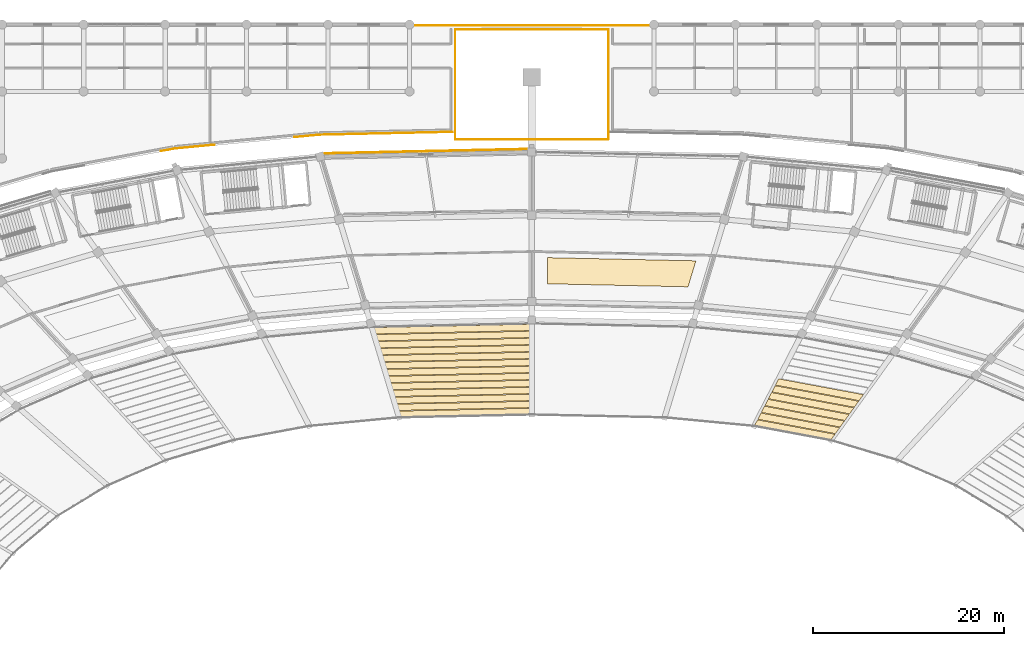
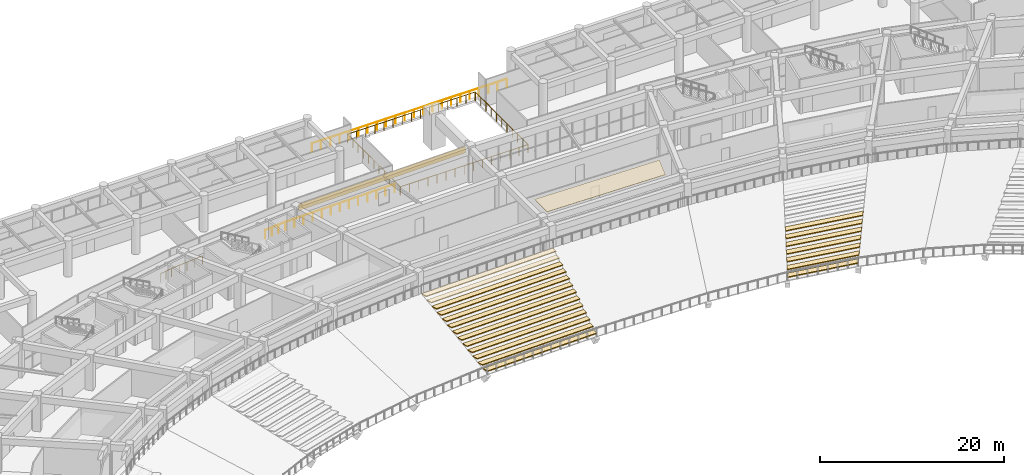
# One storey, part 148 of 152: 22 coverings, 5 railings.
"""IFC4 building model written with IfcOpenShell, lengths in metres."""

from ifc_helpers import new_model, si_unit, direction, frame, origin, origin_2d, place, context, subcontext, project, spatial, polyline, rectangle, circle, outline, extrude, material, layer, layer_set, type_object, element, save


model = new_model("IFC4")

# Units and contexts
model_context = context("Model", 3, precision=1e-05, world=origin(), true_north=direction((0.0, 1.0)))
body_context = subcontext(model_context, "Body", "Model", "MODEL_VIEW")
ifc_project = project(units=[si_unit("LENGTHUNIT", "METRE"), si_unit("AREAUNIT", "SQUARE_METRE"), si_unit("VOLUMEUNIT", "CUBIC_METRE"), si_unit("PLANEANGLEUNIT", "RADIAN"), si_unit("MASSUNIT", "GRAM", prefix="KILO")], contexts=[model_context])

# Site, building, storey
site_placement = place(None, origin())
site = spatial("IfcSite", under=ifc_project, at=site_placement, CompositionType="ELEMENT")
building_placement = place(site_placement, origin())
building = spatial("IfcBuilding", under=site, at=building_placement, Name="Mphavela Belvedere Stadium", CompositionType="ELEMENT")
storey_placement = place(building_placement, frame((0.0, 0.0, 5.39990234375)))
storey = spatial("IfcBuildingStorey", under=building, at=storey_placement, Name="L01", CompositionType="ELEMENT", Elevation=5.39990234375)

# Coverings
ifc_material_1 = material(Name="Perforated acoustic mineral ceiling tile")
ifc_layer_1 = layer(ifc_material_1, 0.0400390625)
ifc_layer_set_1 = layer_set([ifc_layer_1], Name="Perforated acoustic mineral ceiling tile")
covering_type_1 = type_object("IfcCoveringType", Name="COV-CEILING-ACOUSTIC", PredefinedType="CEILING", material=ifc_layer_set_1)
covering_1_placement = place(storey_placement, frame((0.0, 0.0, 3.5)))
element("IfcCovering", 1, at=covering_1_placement, inside=storey, type_object=covering_type_1, Name="Concourse acoustic ceiling L01-12", PredefinedType="CEILING", context=body_context, shape_type="SweptSolid", body=[
    extrude(outline(polyline([(131.334228515625, 146.57958984375), (116.656005859375, 146.8955078125), (116.656005859375, 149.631103515625), (132.155517578125, 149.29736328125), (131.334228515625, 146.57958984375)])), origin(), (0.0, 0.0, 1.0), 0.0400390625),
])
ifc_material_2 = material(Name="Carved classical limestone entablature frieze cladding", Category="masonry")
ifc_layer_2 = layer(ifc_material_2, 0.06005859375)
ifc_layer_set_2 = layer_set([ifc_layer_2], Name="Carved classical limestone entablature frieze cladding")
covering_type_2 = type_object("IfcCoveringType", Name="COV-FRIEZE-CLAD", PredefinedType="CLADDING", material=ifc_layer_set_2)
covering_2_placement = place(storey_placement, frame((103.935791015625, 160.751708984375, 3.594970703125), z_axis=(0.0, 0.0, 1.0), x_axis=(-0.999769581002, -0.02146590093, 0.0)))
element("IfcCovering", 2, at=covering_2_placement, inside=storey, type_object=covering_type_2, Name="Classical entablature frieze cladding L01-13", PredefinedType="CLADDING", context=body_context, shape_type="SweptSolid", body=[
    extrude(rectangle(XDim=21.173583984375, YDim=0.06005859375, at=origin_2d()), origin(), (0.0, 0.0, 1.0), 0.85009765625),
])
ifc_material_3 = material(Name="Precast seating row terrazzo finish", Category="concrete")
ifc_layer_3 = layer(ifc_material_3, 0.1201171875)
ifc_layer_set_3 = layer_set([ifc_layer_3], Name="Precast seating row terrazzo finish")
covering_type_3 = type_object("IfcCoveringType", Name="COV-SEAT-ROW-L", PredefinedType="FLOORING", material=ifc_layer_set_3)
covering_3_placement = place(storey_placement, frame((0.0, 0.0, -3.75830078125)))
element("IfcCovering", 3, at=covering_3_placement, inside=storey, type_object=covering_type_3, Name="Lower stand seating row bench B10-R01", PredefinedType="FLOORING", context=body_context, shape_type="SweptSolid", body=[
    extrude(outline(polyline([(146.2431640625, 130.53662109375), (138.258056640625, 132.02392578125), (138.59716796875, 132.680419921875), (146.69873046875, 131.17138671875), (146.2431640625, 130.53662109375)])), origin(), (0.0, 0.0, 1.0), 0.119873046875),
])
covering_4_placement = place(storey_placement, frame((0.0, 0.0, -3.296875)))
element("IfcCovering", 4, at=covering_4_placement, inside=storey, type_object=covering_type_3, Name="Lower stand seating row bench B10-R02", PredefinedType="FLOORING", context=body_context, shape_type="SweptSolid", body=[
    extrude(outline(polyline([(146.73828125, 131.226806640625), (138.62646484375, 132.7373046875), (138.965576171875, 133.393798828125), (147.19384765625, 131.861328125), (146.73828125, 131.226806640625)])), origin(), (0.0, 0.0, 1.0), 0.1201171875),
])
covering_5_placement = place(storey_placement, frame((0.0, 0.0, -2.835205078125)))
element("IfcCovering", 5, at=covering_5_placement, inside=storey, type_object=covering_type_3, Name="Lower stand seating row bench B10-R03", PredefinedType="FLOORING", context=body_context, shape_type="SweptSolid", body=[
    extrude(outline(polyline([(147.2333984375, 131.91650390625), (138.9951171875, 133.450927734375), (139.334228515625, 134.107421875), (147.68896484375, 132.551513671875), (147.2333984375, 131.91650390625)])), origin(), (0.0, 0.0, 1.0), 0.119873046875),
])
covering_6_placement = place(storey_placement, frame((0.0, 0.0, -2.373779296875)))
element("IfcCovering", 6, at=covering_6_placement, inside=storey, type_object=covering_type_3, Name="Lower stand seating row bench B10-R04", PredefinedType="FLOORING", context=body_context, shape_type="SweptSolid", body=[
    extrude(outline(polyline([(147.728515625, 132.6064453125), (139.36376953125, 134.164306640625), (139.702880859375, 134.82080078125), (148.18408203125, 133.2412109375), (147.728515625, 132.6064453125)])), origin(), (0.0, 0.0, 1.0), 0.1201171875),
])
covering_7_placement = place(storey_placement, frame((0.0, 0.0, -1.912109375)))
element("IfcCovering", 7, at=covering_7_placement, inside=storey, type_object=covering_type_3, Name="Lower stand seating row bench B10-R05", PredefinedType="FLOORING", context=body_context, shape_type="SweptSolid", body=[
    extrude(outline(polyline([(148.2236328125, 133.29638671875), (139.732421875, 134.8779296875), (140.0712890625, 135.534423828125), (148.67919921875, 133.93115234375), (148.2236328125, 133.29638671875)])), origin(), (0.0, 0.0, 1.0), 0.119873046875),
])
covering_8_placement = place(storey_placement, frame((0.0, 0.0, -1.45068359375)))
element("IfcCovering", 8, at=covering_8_placement, inside=storey, type_object=covering_type_3, Name="Lower stand seating row bench B10-R06", PredefinedType="FLOORING", context=body_context, shape_type="SweptSolid", body=[
    extrude(outline(polyline([(148.71875, 133.986328125), (140.100830078125, 135.591552734375), (140.43994140625, 136.247802734375), (149.17431640625, 134.62109375), (148.71875, 133.986328125)])), origin(), (0.0, 0.0, 1.0), 0.119873046875),
])
covering_9_placement = place(storey_placement, frame((0.0, 0.0, -0.989013671875)))
element("IfcCovering", 9, at=covering_9_placement, inside=storey, type_object=covering_type_3, Name="Lower stand seating row bench B10-R07", PredefinedType="FLOORING", context=body_context, shape_type="SweptSolid", body=[
    extrude(outline(polyline([(149.2138671875, 134.676513671875), (140.469482421875, 136.304931640625), (140.80859375, 136.96142578125), (149.66943359375, 135.31103515625), (149.2138671875, 134.676513671875)])), origin(), (0.0, 0.0, 1.0), 0.119873046875),
])
covering_10_placement = place(storey_placement, frame((0.0, 0.0, -3.75830078125)))
element("IfcCovering", 10, at=covering_10_placement, inside=storey, type_object=covering_type_3, Name="Lower stand seating row bench B13-R01", PredefinedType="FLOORING", context=body_context, shape_type="SweptSolid", body=[
    extrude(outline(polyline([(115.0, 133.217529296875), (101.126220703125, 132.918701171875), (100.923828125, 133.588134765625), (115.0, 133.891357421875), (115.0, 133.217529296875)])), origin(), (0.0, 0.0, 1.0), 0.119873046875),
])
covering_11_placement = place(storey_placement, frame((0.0, 0.0, -3.296875)))
element("IfcCovering", 11, at=covering_11_placement, inside=storey, type_object=covering_type_3, Name="Lower stand seating row bench B13-R02", PredefinedType="FLOORING", context=body_context, shape_type="SweptSolid", body=[
    extrude(outline(polyline([(115.0, 133.949951171875), (100.90625, 133.646484375), (100.7041015625, 134.31591796875), (115.0, 134.623779296875), (115.0, 133.949951171875)])), origin(), (0.0, 0.0, 1.0), 0.1201171875),
])
covering_12_placement = place(storey_placement, frame((0.0, 0.0, -2.835205078125)))
element("IfcCovering", 12, at=covering_12_placement, inside=storey, type_object=covering_type_3, Name="Lower stand seating row bench B13-R03", PredefinedType="FLOORING", context=body_context, shape_type="SweptSolid", body=[
    extrude(outline(polyline([(115.0, 134.682373046875), (100.6865234375, 134.374267578125), (100.484130859375, 135.043701171875), (115.0, 135.356201171875), (115.0, 134.682373046875)])), origin(), (0.0, 0.0, 1.0), 0.119873046875),
])
covering_13_placement = place(storey_placement, frame((0.0, 0.0, -2.373779296875)))
element("IfcCovering", 13, at=covering_13_placement, inside=storey, type_object=covering_type_3, Name="Lower stand seating row bench B13-R04", PredefinedType="FLOORING", context=body_context, shape_type="SweptSolid", body=[
    extrude(outline(polyline([(115.0, 135.414794921875), (100.466552734375, 135.101806640625), (100.264404296875, 135.771240234375), (115.0, 136.088623046875), (115.0, 135.414794921875)])), origin(), (0.0, 0.0, 1.0), 0.1201171875),
])
covering_14_placement = place(storey_placement, frame((0.0, 0.0, -1.912109375)))
element("IfcCovering", 14, at=covering_14_placement, inside=storey, type_object=covering_type_3, Name="Lower stand seating row bench B13-R05", PredefinedType="FLOORING", context=body_context, shape_type="SweptSolid", body=[
    extrude(outline(polyline([(115.0, 136.147216796875), (100.246826171875, 135.82958984375), (100.04443359375, 136.4990234375), (115.0, 136.821044921875), (115.0, 136.147216796875)])), origin(), (0.0, 0.0, 1.0), 0.119873046875),
])
covering_15_placement = place(storey_placement, frame((0.0, 0.0, -1.45068359375)))
element("IfcCovering", 15, at=covering_15_placement, inside=storey, type_object=covering_type_3, Name="Lower stand seating row bench B13-R06", PredefinedType="FLOORING", context=body_context, shape_type="SweptSolid", body=[
    extrude(outline(polyline([(115.0, 136.879638671875), (100.02685546875, 136.55712890625), (99.82470703125, 137.226806640625), (115.0, 137.553466796875), (115.0, 136.879638671875)])), origin(), (0.0, 0.0, 1.0), 0.119873046875),
])
covering_16_placement = place(storey_placement, frame((0.0, 0.0, -0.989013671875)))
element("IfcCovering", 16, at=covering_16_placement, inside=storey, type_object=covering_type_3, Name="Lower stand seating row bench B13-R07", PredefinedType="FLOORING", context=body_context, shape_type="SweptSolid", body=[
    extrude(outline(polyline([(115.0, 137.612060546875), (99.806884765625, 137.284912109375), (99.604736328125, 137.954345703125), (115.0, 138.285888671875), (115.0, 137.612060546875)])), origin(), (0.0, 0.0, 1.0), 0.119873046875),
])
covering_17_placement = place(storey_placement, frame((0.0, 0.0, -0.527587890625)))
element("IfcCovering", 17, at=covering_17_placement, inside=storey, type_object=covering_type_3, Name="Lower stand seating row bench B13-R08", PredefinedType="FLOORING", context=body_context, shape_type="SweptSolid", body=[
    extrude(outline(polyline([(115.0, 138.344482421875), (99.587158203125, 138.0126953125), (99.385009765625, 138.68212890625), (115.0, 139.018310546875), (115.0, 138.344482421875)])), origin(), (0.0, 0.0, 1.0), 0.119873046875),
])
covering_18_placement = place(storey_placement, frame((0.0, 0.0, -0.066162109375)))
element("IfcCovering", 18, at=covering_18_placement, inside=storey, type_object=covering_type_3, Name="Lower stand seating row bench B13-R09", PredefinedType="FLOORING", context=body_context, shape_type="SweptSolid", body=[
    extrude(outline(polyline([(115.0, 139.076904296875), (99.3671875, 138.740234375), (99.1650390625, 139.409912109375), (115.0, 139.750732421875), (115.0, 139.076904296875)])), origin(), (0.0, 0.0, 1.0), 0.1201171875),
])
covering_19_placement = place(storey_placement, frame((0.0, 0.0, 0.3955078125)))
element("IfcCovering", 19, at=covering_19_placement, inside=storey, type_object=covering_type_3, Name="Lower stand seating row bench B13-R10", PredefinedType="FLOORING", context=body_context, shape_type="SweptSolid", body=[
    extrude(outline(polyline([(115.0, 139.809326171875), (99.1474609375, 139.468017578125), (98.9453125, 140.137451171875), (115.0, 140.483154296875), (115.0, 139.809326171875)])), origin(), (0.0, 0.0, 1.0), 0.119873046875),
])
covering_20_placement = place(storey_placement, frame((0.0, 0.0, 0.85693359375)))
element("IfcCovering", 20, at=covering_20_placement, inside=storey, type_object=covering_type_3, Name="Lower stand seating row bench B13-R11", PredefinedType="FLOORING", context=body_context, shape_type="SweptSolid", body=[
    extrude(outline(polyline([(115.0, 140.541748046875), (98.927490234375, 140.19580078125), (98.725341796875, 140.864990234375), (115.0, 141.215576171875), (115.0, 140.541748046875)])), origin(), (0.0, 0.0, 1.0), 0.1201171875),
])
covering_21_placement = place(storey_placement, frame((0.0, 0.0, 1.318603515625)))
element("IfcCovering", 21, at=covering_21_placement, inside=storey, type_object=covering_type_3, Name="Lower stand seating row bench B13-R12", PredefinedType="FLOORING", context=body_context, shape_type="SweptSolid", body=[
    extrude(outline(polyline([(115.0, 141.274169921875), (98.707763671875, 140.92333984375), (98.50537109375, 141.5927734375), (115.0, 141.947998046875), (115.0, 141.274169921875)])), origin(), (0.0, 0.0, 1.0), 0.119873046875),
])
covering_22_placement = place(storey_placement, frame((0.0, 0.0, 1.780029296875)))
element("IfcCovering", 22, at=covering_22_placement, inside=storey, type_object=covering_type_3, Name="Lower stand seating row bench B13-R13", PredefinedType="FLOORING", context=body_context, shape_type="SweptSolid", body=[
    extrude(outline(polyline([(115.0, 142.006591796875), (98.48779296875, 141.65087890625), (98.28564453125, 142.320556640625), (115.0, 142.680419921875), (115.0, 142.006591796875)])), origin(), (0.0, 0.0, 1.0), 0.1201171875),
])

# Railings
ifc_material_4 = material(Name="Bronze and laminated glass stadium balustrade", Category="glass")
railing_type = type_object("IfcRailingType", Name="RAL-BALUSTRADE-1120", PredefinedType="BALUSTRADE", material=ifc_material_4)
railing_1_placement = place(storey_placement, frame((107.0, 162.0, 0.0)))
element("IfcRailing", 23, at=railing_1_placement, inside=storey, type_object=railing_type, Name="North Mast and Ceremonial End Forecourt court balustrade L01-A", PredefinedType="BALUSTRADE", context=body_context, shape_type="SweptSolid", body=[
    extrude(circle(Radius=0.02392578125, at=origin_2d()), frame((0.0, 0.0, 1.09619140625), z_axis=(1.0, 0.0, 0.0), x_axis=(0.0, 1.0, 0.0)), (0.0, 0.0, 1.0), 16.0),
    extrude(circle(Radius=0.02392578125, at=origin_2d()), frame((16.0, 0.0, 1.09619140625), z_axis=(0.0, 1.0, 0.0), x_axis=(-1.0, 0.0, 0.0)), (0.0, 0.0, 1.0), 11.419921875),
    extrude(circle(Radius=0.02099609375, at=origin_2d()), origin(), (0.0, 0.0, 1.0), 1.072021484375),
    extrude(circle(Radius=0.02099609375, at=origin_2d()), frame((1.142822265625, 0.0, 0.0)), (0.0, 0.0, 1.0), 1.072021484375),
    extrude(circle(Radius=0.02099609375, at=origin_2d()), frame((2.28564453125, 0.0, 0.0)), (0.0, 0.0, 1.0), 1.072021484375),
    extrude(circle(Radius=0.02099609375, at=origin_2d()), frame((3.428466796875, 0.0, 0.0)), (0.0, 0.0, 1.0), 1.072021484375),
    extrude(circle(Radius=0.02099609375, at=origin_2d()), frame((4.571533203125, 0.0, 0.0)), (0.0, 0.0, 1.0), 1.072021484375),
    extrude(circle(Radius=0.02099609375, at=origin_2d()), frame((5.71435546875, 0.0, 0.0)), (0.0, 0.0, 1.0), 1.072021484375),
    extrude(circle(Radius=0.02099609375, at=origin_2d()), frame((6.857177734375, 0.0, 0.0)), (0.0, 0.0, 1.0), 1.072021484375),
    extrude(circle(Radius=0.02099609375, at=origin_2d()), frame((8.0, 0.0, 0.0)), (0.0, 0.0, 1.0), 1.072021484375),
    extrude(circle(Radius=0.02099609375, at=origin_2d()), frame((9.142822265625, 0.0, 0.0)), (0.0, 0.0, 1.0), 1.072021484375),
    extrude(circle(Radius=0.02099609375, at=origin_2d()), frame((10.28564453125, 0.0, 0.0)), (0.0, 0.0, 1.0), 1.072021484375),
    extrude(circle(Radius=0.02099609375, at=origin_2d()), frame((11.428466796875, 0.0, 0.0)), (0.0, 0.0, 1.0), 1.072021484375),
    extrude(circle(Radius=0.02099609375, at=origin_2d()), frame((12.571533203125, 0.0, 0.0)), (0.0, 0.0, 1.0), 1.072021484375),
    extrude(circle(Radius=0.02099609375, at=origin_2d()), frame((13.71435546875, 0.0, 0.0)), (0.0, 0.0, 1.0), 1.072021484375),
    extrude(circle(Radius=0.02099609375, at=origin_2d()), frame((14.857177734375, 0.0, 0.0)), (0.0, 0.0, 1.0), 1.072021484375),
    extrude(circle(Radius=0.02099609375, at=origin_2d()), frame((16.0, 0.0, 0.0)), (0.0, 0.0, 1.0), 1.072021484375),
    extrude(circle(Radius=0.02099609375, at=origin_2d()), frame((16.0, 1.14208984375, 0.0)), (0.0, 0.0, 1.0), 1.072021484375),
    extrude(circle(Radius=0.02099609375, at=origin_2d()), frame((16.0, 2.283935546875, 0.0)), (0.0, 0.0, 1.0), 1.072021484375),
    extrude(circle(Radius=0.02099609375, at=origin_2d()), frame((16.0, 3.426025390625, 0.0)), (0.0, 0.0, 1.0), 1.072021484375),
    extrude(circle(Radius=0.02099609375, at=origin_2d()), frame((16.0, 4.56787109375, 0.0)), (0.0, 0.0, 1.0), 1.072021484375),
    extrude(circle(Radius=0.02099609375, at=origin_2d()), frame((16.0, 5.7099609375, 0.0)), (0.0, 0.0, 1.0), 1.072021484375),
    extrude(circle(Radius=0.02099609375, at=origin_2d()), frame((16.0, 6.85205078125, 0.0)), (0.0, 0.0, 1.0), 1.072021484375),
    extrude(circle(Radius=0.02099609375, at=origin_2d()), frame((16.0, 7.993896484375, 0.0)), (0.0, 0.0, 1.0), 1.072021484375),
    extrude(circle(Radius=0.02099609375, at=origin_2d()), frame((16.0, 9.135986328125, 0.0)), (0.0, 0.0, 1.0), 1.072021484375),
    extrude(circle(Radius=0.02099609375, at=origin_2d()), frame((16.0, 10.27783203125, 0.0)), (0.0, 0.0, 1.0), 1.072021484375),
    extrude(circle(Radius=0.02099609375, at=origin_2d()), frame((16.0, 11.419921875, 0.0)), (0.0, 0.0, 1.0), 1.072021484375),
])
railing_2_placement = place(storey_placement, frame((123.0, 173.5, 0.0)))
element("IfcRailing", 24, at=railing_2_placement, inside=storey, type_object=railing_type, Name="North Mast and Ceremonial End Forecourt court balustrade L01-B", PredefinedType="BALUSTRADE", context=body_context, shape_type="SweptSolid", body=[
    extrude(circle(Radius=0.02392578125, at=origin_2d()), frame((0.0, 0.0, 1.09619140625), z_axis=(-1.0, 0.0, 0.0), x_axis=(0.0, -1.0, 0.0)), (0.0, 0.0, 1.0), 16.0),
    extrude(circle(Radius=0.02392578125, at=origin_2d()), frame((-16.0, 0.0, 1.09619140625), z_axis=(0.0, -1.0, 0.0), x_axis=(1.0, 0.0, 0.0)), (0.0, 0.0, 1.0), 11.419921875),
    extrude(circle(Radius=0.02099609375, at=origin_2d()), origin(), (0.0, 0.0, 1.0), 1.072021484375),
    extrude(circle(Radius=0.02099609375, at=origin_2d()), frame((-1.142822265625, 0.0, 0.0)), (0.0, 0.0, 1.0), 1.072021484375),
    extrude(circle(Radius=0.02099609375, at=origin_2d()), frame((-2.28564453125, 0.0, 0.0)), (0.0, 0.0, 1.0), 1.072021484375),
    extrude(circle(Radius=0.02099609375, at=origin_2d()), frame((-3.428466796875, 0.0, 0.0)), (0.0, 0.0, 1.0), 1.072021484375),
    extrude(circle(Radius=0.02099609375, at=origin_2d()), frame((-4.571533203125, 0.0, 0.0)), (0.0, 0.0, 1.0), 1.072021484375),
    extrude(circle(Radius=0.02099609375, at=origin_2d()), frame((-5.71435546875, 0.0, 0.0)), (0.0, 0.0, 1.0), 1.072021484375),
    extrude(circle(Radius=0.02099609375, at=origin_2d()), frame((-6.857177734375, 0.0, 0.0)), (0.0, 0.0, 1.0), 1.072021484375),
    extrude(circle(Radius=0.02099609375, at=origin_2d()), frame((-8.0, 0.0, 0.0)), (0.0, 0.0, 1.0), 1.072021484375),
    extrude(circle(Radius=0.02099609375, at=origin_2d()), frame((-9.142822265625, 0.0, 0.0)), (0.0, 0.0, 1.0), 1.072021484375),
    extrude(circle(Radius=0.02099609375, at=origin_2d()), frame((-10.28564453125, 0.0, 0.0)), (0.0, 0.0, 1.0), 1.072021484375),
    extrude(circle(Radius=0.02099609375, at=origin_2d()), frame((-11.428466796875, 0.0, 0.0)), (0.0, 0.0, 1.0), 1.072021484375),
    extrude(circle(Radius=0.02099609375, at=origin_2d()), frame((-12.571533203125, 0.0, 0.0)), (0.0, 0.0, 1.0), 1.072021484375),
    extrude(circle(Radius=0.02099609375, at=origin_2d()), frame((-13.71435546875, 0.0, 0.0)), (0.0, 0.0, 1.0), 1.072021484375),
    extrude(circle(Radius=0.02099609375, at=origin_2d()), frame((-14.857177734375, 0.0, 0.0)), (0.0, 0.0, 1.0), 1.072021484375),
    extrude(circle(Radius=0.02099609375, at=origin_2d()), frame((-16.0, 0.0, 0.0)), (0.0, 0.0, 1.0), 1.072021484375),
    extrude(circle(Radius=0.02099609375, at=origin_2d()), frame((-16.0, -1.14208984375, 0.0)), (0.0, 0.0, 1.0), 1.072021484375),
    extrude(circle(Radius=0.02099609375, at=origin_2d()), frame((-16.0, -2.283935546875, 0.0)), (0.0, 0.0, 1.0), 1.072021484375),
    extrude(circle(Radius=0.02099609375, at=origin_2d()), frame((-16.0, -3.426025390625, 0.0)), (0.0, 0.0, 1.0), 1.072021484375),
    extrude(circle(Radius=0.02099609375, at=origin_2d()), frame((-16.0, -4.56787109375, 0.0)), (0.0, 0.0, 1.0), 1.072021484375),
    extrude(circle(Radius=0.02099609375, at=origin_2d()), frame((-16.0, -5.7099609375, 0.0)), (0.0, 0.0, 1.0), 1.072021484375),
    extrude(circle(Radius=0.02099609375, at=origin_2d()), frame((-16.0, -6.85205078125, 0.0)), (0.0, 0.0, 1.0), 1.072021484375),
    extrude(circle(Radius=0.02099609375, at=origin_2d()), frame((-16.0, -7.993896484375, 0.0)), (0.0, 0.0, 1.0), 1.072021484375),
    extrude(circle(Radius=0.02099609375, at=origin_2d()), frame((-16.0, -9.135986328125, 0.0)), (0.0, 0.0, 1.0), 1.072021484375),
    extrude(circle(Radius=0.02099609375, at=origin_2d()), frame((-16.0, -10.27783203125, 0.0)), (0.0, 0.0, 1.0), 1.072021484375),
    extrude(circle(Radius=0.02099609375, at=origin_2d()), frame((-16.0, -11.419921875, 0.0)), (0.0, 0.0, 1.0), 1.072021484375),
])
railing_3_placement = place(storey_placement, frame((106.719970703125, 162.772216796875, 0.0)))
element("IfcRailing", 25, at=railing_3_placement, inside=storey, type_object=railing_type, Name="Peristyle wing gallery edge balustrade L01-30", PredefinedType="BALUSTRADE", context=body_context, shape_type="SweptSolid", body=[
    extrude(circle(Radius=0.02392578125, at=origin_2d()), frame((0.0, 0.0, 1.09619140625), z_axis=(-0.999768449316, -0.021518544383, 0.0), x_axis=(0.021518544383, -0.999768449316, 0.0)), (0.0, 0.0, 1.0), 13.886962890625),
    extrude(circle(Radius=0.02392578125, at=origin_2d()), frame((-13.8837890625, -0.298828125, 1.09619140625), z_axis=(-0.995701021034, -0.09262546471, 0.0), x_axis=(0.09262546471, -0.995701021034, 0.0)), (0.0, 0.0, 1.0), 2.685791015625),
    extrude(circle(Radius=0.02099609375, at=origin_2d()), origin(), (0.0, 0.0, 1.0), 1.072021484375),
    extrude(circle(Radius=0.02099609375, at=origin_2d()), frame((-1.156982421875, -0.02490234375, 0.0)), (0.0, 0.0, 1.0), 1.072021484375),
    extrude(circle(Radius=0.02099609375, at=origin_2d()), frame((-2.31396484375, -0.0498046875, 0.0)), (0.0, 0.0, 1.0), 1.072021484375),
    extrude(circle(Radius=0.02099609375, at=origin_2d()), frame((-3.470947265625, -0.07470703125, 0.0)), (0.0, 0.0, 1.0), 1.072021484375),
    extrude(circle(Radius=0.02099609375, at=origin_2d()), frame((-4.6279296875, -0.099609375, 0.0)), (0.0, 0.0, 1.0), 1.072021484375),
    extrude(circle(Radius=0.02099609375, at=origin_2d()), frame((-5.784912109375, -0.12451171875, 0.0)), (0.0, 0.0, 1.0), 1.072021484375),
    extrude(circle(Radius=0.02099609375, at=origin_2d()), frame((-6.94189453125, -0.1494140625, 0.0)), (0.0, 0.0, 1.0), 1.072021484375),
    extrude(circle(Radius=0.02099609375, at=origin_2d()), frame((-8.098876953125, -0.17431640625, 0.0)), (0.0, 0.0, 1.0), 1.072021484375),
    extrude(circle(Radius=0.02099609375, at=origin_2d()), frame((-9.255859375, -0.19921875, 0.0)), (0.0, 0.0, 1.0), 1.072021484375),
    extrude(circle(Radius=0.02099609375, at=origin_2d()), frame((-10.412841796875, -0.22412109375, 0.0)), (0.0, 0.0, 1.0), 1.072021484375),
    extrude(circle(Radius=0.02099609375, at=origin_2d()), frame((-11.56982421875, -0.2490234375, 0.0)), (0.0, 0.0, 1.0), 1.072021484375),
    extrude(circle(Radius=0.02099609375, at=origin_2d()), frame((-12.726806640625, -0.27392578125, 0.0)), (0.0, 0.0, 1.0), 1.072021484375),
    extrude(circle(Radius=0.02099609375, at=origin_2d()), frame((-13.8837890625, -0.298828125, 0.0)), (0.0, 0.0, 1.0), 1.072021484375),
    extrude(circle(Radius=0.02099609375, at=origin_2d()), frame((-14.775146484375, -0.3818359375, 0.0)), (0.0, 0.0, 1.0), 1.072021484375),
    extrude(circle(Radius=0.02099609375, at=origin_2d()), frame((-15.666748046875, -0.464599609375, 0.0)), (0.0, 0.0, 1.0), 1.072021484375),
    extrude(circle(Radius=0.02099609375, at=origin_2d()), frame((-16.55810546875, -0.547607421875, 0.0)), (0.0, 0.0, 1.0), 1.072021484375),
])
railing_4_placement = place(storey_placement, frame((81.826904296875, 161.4296875, 0.0)))
element("IfcRailing", 26, at=railing_4_placement, inside=storey, type_object=railing_type, Name="Peristyle wing gallery edge balustrade L01-31", PredefinedType="BALUSTRADE", context=body_context, shape_type="SweptSolid", body=[
    extrude(circle(Radius=0.02392578125, at=origin_2d()), frame((0.0, 0.0, 1.09619140625), z_axis=(-0.995482726016, -0.094942836503, 0.0), x_axis=(0.094942836503, -0.995482726016, 0.0)), (0.0, 0.0, 1.0), 4.135009765625),
    extrude(circle(Radius=0.02392578125, at=origin_2d()), frame((-4.1162109375, -0.392578125, 1.09619140625), z_axis=(-0.984163739647, -0.177261765658, 0.0), x_axis=(0.177261765658, -0.984163739647, 0.0)), (0.0, 0.0, 1.0), 1.52197265625),
    extrude(circle(Radius=0.02099609375, at=origin_2d()), origin(), (0.0, 0.0, 1.0), 1.072021484375),
    extrude(circle(Radius=0.02099609375, at=origin_2d()), frame((-1.029052734375, -0.09814453125, 0.0)), (0.0, 0.0, 1.0), 1.072021484375),
    extrude(circle(Radius=0.02099609375, at=origin_2d()), frame((-2.05810546875, -0.1962890625, 0.0)), (0.0, 0.0, 1.0), 1.072021484375),
    extrude(circle(Radius=0.02099609375, at=origin_2d()), frame((-3.087158203125, -0.29443359375, 0.0)), (0.0, 0.0, 1.0), 1.072021484375),
    extrude(circle(Radius=0.02099609375, at=origin_2d()), frame((-4.1162109375, -0.392578125, 0.0)), (0.0, 0.0, 1.0), 1.072021484375),
    extrude(circle(Radius=0.02099609375, at=origin_2d()), frame((-4.865234375, -0.52734375, 0.0)), (0.0, 0.0, 1.0), 1.072021484375),
    extrude(circle(Radius=0.02099609375, at=origin_2d()), frame((-5.614013671875, -0.662353515625, 0.0)), (0.0, 0.0, 1.0), 1.072021484375),
])
railing_5_placement = place(storey_placement, frame((102.765380859375, 173.919921875, 0.0)))
element("IfcRailing", 27, at=railing_5_placement, inside=storey, type_object=railing_type, Name="Peristyle wing gallery edge balustrade L01-44", PredefinedType="BALUSTRADE", context=body_context, shape_type="SweptSolid", body=[
    extrude(circle(Radius=0.02392578125, at=origin_2d()), frame((0.0, 0.0, 1.09619140625), z_axis=(1.0, 0.0, 0.0), x_axis=(0.0, 1.0, 0.0)), (0.0, 0.0, 1.0), 24.46923828125),
    extrude(circle(Radius=0.02099609375, at=origin_2d()), origin(), (0.0, 0.0, 1.0), 1.072021484375),
    extrude(circle(Radius=0.02099609375, at=origin_2d()), frame((1.165283203125, 0.0, 0.0)), (0.0, 0.0, 1.0), 1.072021484375),
    extrude(circle(Radius=0.02099609375, at=origin_2d()), frame((2.330322265625, 0.0, 0.0)), (0.0, 0.0, 1.0), 1.072021484375),
    extrude(circle(Radius=0.02099609375, at=origin_2d()), frame((3.49560546875, 0.0, 0.0)), (0.0, 0.0, 1.0), 1.072021484375),
    extrude(circle(Radius=0.02099609375, at=origin_2d()), frame((4.660888671875, 0.0, 0.0)), (0.0, 0.0, 1.0), 1.072021484375),
    extrude(circle(Radius=0.02099609375, at=origin_2d()), frame((5.825927734375, 0.0, 0.0)), (0.0, 0.0, 1.0), 1.072021484375),
    extrude(circle(Radius=0.02099609375, at=origin_2d()), frame((6.9912109375, 0.0, 0.0)), (0.0, 0.0, 1.0), 1.072021484375),
    extrude(circle(Radius=0.02099609375, at=origin_2d()), frame((8.156494140625, 0.0, 0.0)), (0.0, 0.0, 1.0), 1.072021484375),
    extrude(circle(Radius=0.02099609375, at=origin_2d()), frame((9.321533203125, 0.0, 0.0)), (0.0, 0.0, 1.0), 1.072021484375),
    extrude(circle(Radius=0.02099609375, at=origin_2d()), frame((10.48681640625, 0.0, 0.0)), (0.0, 0.0, 1.0), 1.072021484375),
    extrude(circle(Radius=0.02099609375, at=origin_2d()), frame((11.652099609375, 0.0, 0.0)), (0.0, 0.0, 1.0), 1.072021484375),
    extrude(circle(Radius=0.02099609375, at=origin_2d()), frame((12.817138671875, 0.0, 0.0)), (0.0, 0.0, 1.0), 1.072021484375),
    extrude(circle(Radius=0.02099609375, at=origin_2d()), frame((13.982421875, 0.0, 0.0)), (0.0, 0.0, 1.0), 1.072021484375),
    extrude(circle(Radius=0.02099609375, at=origin_2d()), frame((15.147705078125, 0.0, 0.0)), (0.0, 0.0, 1.0), 1.072021484375),
    extrude(circle(Radius=0.02099609375, at=origin_2d()), frame((16.312744140625, 0.0, 0.0)), (0.0, 0.0, 1.0), 1.072021484375),
    extrude(circle(Radius=0.02099609375, at=origin_2d()), frame((17.47802734375, 0.0, 0.0)), (0.0, 0.0, 1.0), 1.072021484375),
    extrude(circle(Radius=0.02099609375, at=origin_2d()), frame((18.643310546875, 0.0, 0.0)), (0.0, 0.0, 1.0), 1.072021484375),
    extrude(circle(Radius=0.02099609375, at=origin_2d()), frame((19.808349609375, 0.0, 0.0)), (0.0, 0.0, 1.0), 1.072021484375),
    extrude(circle(Radius=0.02099609375, at=origin_2d()), frame((20.9736328125, 0.0, 0.0)), (0.0, 0.0, 1.0), 1.072021484375),
    extrude(circle(Radius=0.02099609375, at=origin_2d()), frame((22.138916015625, 0.0, 0.0)), (0.0, 0.0, 1.0), 1.072021484375),
    extrude(circle(Radius=0.02099609375, at=origin_2d()), frame((23.303955078125, 0.0, 0.0)), (0.0, 0.0, 1.0), 1.072021484375),
    extrude(circle(Radius=0.02099609375, at=origin_2d()), frame((24.46923828125, 0.0, 0.0)), (0.0, 0.0, 1.0), 1.072021484375),
])

save(model, "model.ifc")
